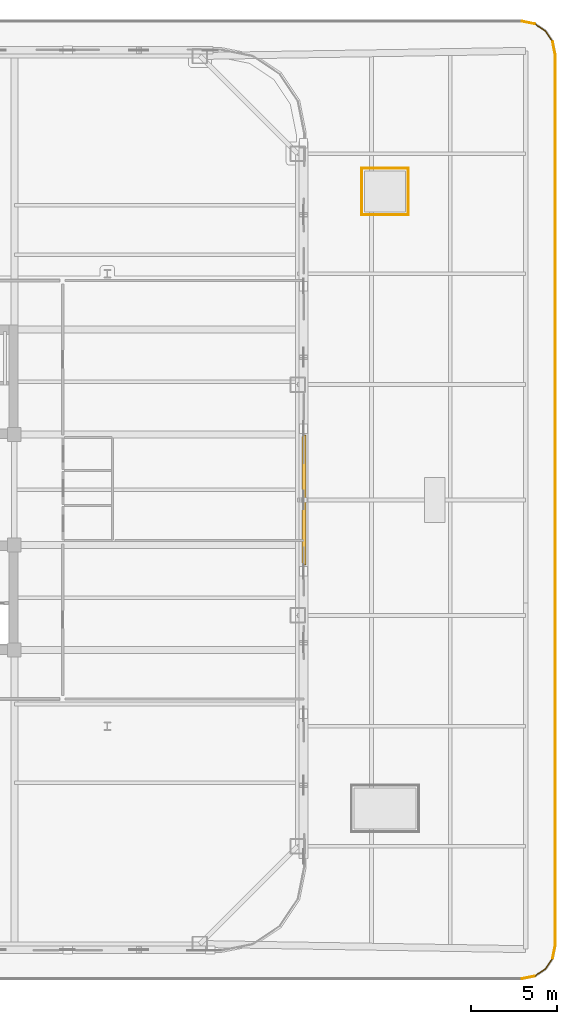
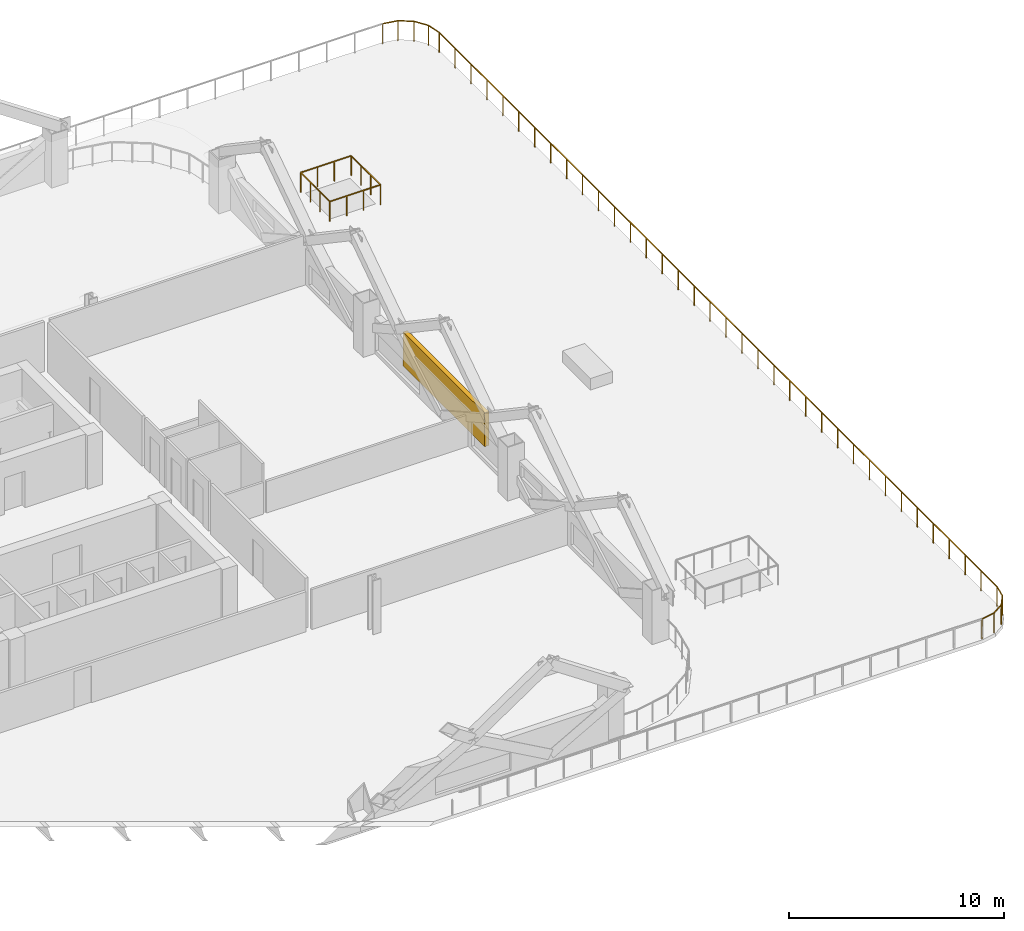
# One storey, part 17 of 17: 13 railings, 1 shading device.
"""IFC4 building model written with IfcOpenShell, lengths in metres."""

from ifc_helpers import new_model, si_unit, direction, frame, origin, origin_2d, place, context, subcontext, project, spatial, rectangle, extrude, material, type_object, element, save


model = new_model("IFC4")

# Units and contexts
model_context = context("Model", 3, precision=1e-05, world=origin(), true_north=direction((0.0, 1.0)))
body_context = subcontext(model_context, "Body", "Model", "MODEL_VIEW")
ifc_project = project(units=[si_unit("LENGTHUNIT", "METRE"), si_unit("AREAUNIT", "SQUARE_METRE"), si_unit("VOLUMEUNIT", "CUBIC_METRE"), si_unit("PLANEANGLEUNIT", "RADIAN"), si_unit("MASSUNIT", "GRAM", prefix="KILO")], contexts=[model_context])

# Site, building, storey
site_placement = place(None, origin())
site = spatial("IfcSite", under=ifc_project, at=site_placement, CompositionType="ELEMENT")
building_placement = place(site_placement, origin())
building = spatial("IfcBuilding", under=site, at=building_placement, Name="Qhalaya Broadcast Tower", CompositionType="ELEMENT")
storey_placement = place(building_placement, frame((0.0, 0.0, 26.10009765625)))
storey = spatial("IfcBuildingStorey", under=building, at=storey_placement, Name="L06", CompositionType="ELEMENT", Elevation=26.10009765625)

# Railings
ifc_material_1 = material(Name="Powder-Coated Galvanised Steel", Category="steel")
railing_type = type_object("IfcRailingType", Name="Terrace, Sky-Pool & Lookout Glass Balustrade 1150", PredefinedType="BALUSTRADE", material=ifc_material_1)
railing_1_placement = place(storey_placement, frame((38.9921875, 27.919921875, 0.0)))
element("IfcRailing", 1, at=railing_1_placement, inside=storey, type_object=railing_type, Name="L06 Perimeter Safety Balustrade BAL-TER1-12", PredefinedType="BALUSTRADE", context=body_context, shape_type="SweptSolid", body=[
    extrude(rectangle(XDim=0.048095703125, YDim=0.048095703125, at=origin_2d()), frame((0.0, 0.0, 1.1259765625), z_axis=(0.980815817217, -0.194936740243, 0.0), x_axis=(0.194936740243, 0.980815817217, 0.0)), (0.0, 0.0, 1.0), 0.75634765625),
    extrude(rectangle(XDim=0.0419921875, YDim=0.0419921875, at=origin_2d()), origin(), (0.0, 0.0, 1.0), 1.099853515625),
    extrude(rectangle(XDim=0.0419921875, YDim=0.0419921875, at=origin_2d()), frame((0.741943359375, -0.1474609375, 0.0)), (0.0, 0.0, 1.0), 1.099853515625),
])
railing_2_placement = place(storey_placement, frame((39.734130859375, 27.7724609375, 0.0)))
element("IfcRailing", 2, at=railing_2_placement, inside=storey, type_object=railing_type, Name="L06 Perimeter Safety Balustrade BAL-TER1-13", PredefinedType="BALUSTRADE", context=body_context, shape_type="SweptSolid", body=[
    extrude(rectangle(XDim=0.048095703125, YDim=0.048095703125, at=origin_2d()), frame((0.0, 0.0, 1.1259765625), z_axis=(0.831347157979, -0.555753455158, 0.0), x_axis=(0.555753455158, 0.831347157979, 0.0)), (0.0, 0.0, 1.0), 0.74853515625),
    extrude(rectangle(XDim=0.0419921875, YDim=0.0419921875, at=origin_2d()), origin(), (0.0, 0.0, 1.0), 1.099853515625),
    extrude(rectangle(XDim=0.0419921875, YDim=0.0419921875, at=origin_2d()), frame((0.622314453125, -0.416015625, 0.0)), (0.0, 0.0, 1.0), 1.099853515625),
])
railing_3_placement = place(storey_placement, frame((40.3564453125, 27.3564453125, 0.0)))
element("IfcRailing", 3, at=railing_3_placement, inside=storey, type_object=railing_type, Name="L06 Perimeter Safety Balustrade BAL-TER1-14", PredefinedType="BALUSTRADE", context=body_context, shape_type="SweptSolid", body=[
    extrude(rectangle(XDim=0.048095703125, YDim=0.048095703125, at=origin_2d()), frame((0.0, 0.0, 1.1259765625), z_axis=(0.555753455158, -0.831347157979, 0.0), x_axis=(0.831347157979, 0.555753455158, 0.0)), (0.0, 0.0, 1.0), 0.74853515625),
    extrude(rectangle(XDim=0.0419921875, YDim=0.0419921875, at=origin_2d()), origin(), (0.0, 0.0, 1.0), 1.099853515625),
    extrude(rectangle(XDim=0.0419921875, YDim=0.0419921875, at=origin_2d()), frame((0.416015625, -0.622314453125, 0.0)), (0.0, 0.0, 1.0), 1.099853515625),
])
railing_4_placement = place(storey_placement, frame((40.7724609375, 26.734130859375, 0.0)))
element("IfcRailing", 4, at=railing_4_placement, inside=storey, type_object=railing_type, Name="L06 Perimeter Safety Balustrade BAL-TER1-15", PredefinedType="BALUSTRADE", context=body_context, shape_type="SweptSolid", body=[
    extrude(rectangle(XDim=0.048095703125, YDim=0.048095703125, at=origin_2d()), frame((0.0, 0.0, 1.1259765625), z_axis=(0.194936740243, -0.980815817217, 0.0), x_axis=(0.980815817217, 0.194936740243, 0.0)), (0.0, 0.0, 1.0), 0.75634765625),
    extrude(rectangle(XDim=0.0419921875, YDim=0.0419921875, at=origin_2d()), origin(), (0.0, 0.0, 1.0), 1.099853515625),
    extrude(rectangle(XDim=0.0419921875, YDim=0.0419921875, at=origin_2d()), frame((0.1474609375, -0.741943359375, 0.0)), (0.0, 0.0, 1.0), 1.099853515625),
])
railing_5_placement = place(storey_placement, frame((40.919921875, 25.9921875, 0.0)))
element("IfcRailing", 5, at=railing_5_placement, inside=storey, type_object=railing_type, Name="L06 Perimeter Safety Balustrade BAL-TER1-16", PredefinedType="BALUSTRADE", context=body_context, shape_type="SweptSolid", body=[
    extrude(rectangle(XDim=0.048095703125, YDim=0.048095703125, at=origin_2d()), frame((0.0, 0.0, 1.1259765625), z_axis=(0.0, -1.0, 0.0), x_axis=(1.0, 0.0, 0.0)), (0.0, 0.0, 1.0), 51.984375),
    extrude(rectangle(XDim=0.0419921875, YDim=0.0419921875, at=origin_2d()), origin(), (0.0, 0.0, 1.0), 1.099853515625),
    extrude(rectangle(XDim=0.0419921875, YDim=0.0419921875, at=origin_2d()), frame((0.0, -1.4853515625, 0.0)), (0.0, 0.0, 1.0), 1.099853515625),
    extrude(rectangle(XDim=0.0419921875, YDim=0.0419921875, at=origin_2d()), frame((0.0, -2.970458984375, 0.0)), (0.0, 0.0, 1.0), 1.099853515625),
    extrude(rectangle(XDim=0.0419921875, YDim=0.0419921875, at=origin_2d()), frame((0.0, -4.455810546875, 0.0)), (0.0, 0.0, 1.0), 1.099853515625),
    extrude(rectangle(XDim=0.0419921875, YDim=0.0419921875, at=origin_2d()), frame((0.0, -5.941162109375, 0.0)), (0.0, 0.0, 1.0), 1.099853515625),
    extrude(rectangle(XDim=0.0419921875, YDim=0.0419921875, at=origin_2d()), frame((0.0, -7.42626953125, 0.0)), (0.0, 0.0, 1.0), 1.099853515625),
    extrude(rectangle(XDim=0.0419921875, YDim=0.0419921875, at=origin_2d()), frame((0.0, -8.91162109375, 0.0)), (0.0, 0.0, 1.0), 1.099853515625),
    extrude(rectangle(XDim=0.0419921875, YDim=0.0419921875, at=origin_2d()), frame((0.0, -10.39697265625, 0.0)), (0.0, 0.0, 1.0), 1.099853515625),
    extrude(rectangle(XDim=0.0419921875, YDim=0.0419921875, at=origin_2d()), frame((0.0, -11.882080078125, 0.0)), (0.0, 0.0, 1.0), 1.099853515625),
    extrude(rectangle(XDim=0.0419921875, YDim=0.0419921875, at=origin_2d()), frame((0.0, -13.367431640625, 0.0)), (0.0, 0.0, 1.0), 1.099853515625),
    extrude(rectangle(XDim=0.0419921875, YDim=0.0419921875, at=origin_2d()), frame((0.0, -14.852783203125, 0.0)), (0.0, 0.0, 1.0), 1.099853515625),
    extrude(rectangle(XDim=0.0419921875, YDim=0.0419921875, at=origin_2d()), frame((0.0, -16.337890625, 0.0)), (0.0, 0.0, 1.0), 1.099853515625),
    extrude(rectangle(XDim=0.0419921875, YDim=0.0419921875, at=origin_2d()), frame((0.0, -17.8232421875, 0.0)), (0.0, 0.0, 1.0), 1.099853515625),
    extrude(rectangle(XDim=0.0419921875, YDim=0.0419921875, at=origin_2d()), frame((0.0, -19.30859375, 0.0)), (0.0, 0.0, 1.0), 1.099853515625),
    extrude(rectangle(XDim=0.0419921875, YDim=0.0419921875, at=origin_2d()), frame((0.0, -20.793701171875, 0.0)), (0.0, 0.0, 1.0), 1.099853515625),
    extrude(rectangle(XDim=0.0419921875, YDim=0.0419921875, at=origin_2d()), frame((0.0, -22.279052734375, 0.0)), (0.0, 0.0, 1.0), 1.099853515625),
    extrude(rectangle(XDim=0.0419921875, YDim=0.0419921875, at=origin_2d()), frame((0.0, -23.764404296875, 0.0)), (0.0, 0.0, 1.0), 1.099853515625),
    extrude(rectangle(XDim=0.0419921875, YDim=0.0419921875, at=origin_2d()), frame((0.0, -25.24951171875, 0.0)), (0.0, 0.0, 1.0), 1.099853515625),
    extrude(rectangle(XDim=0.0419921875, YDim=0.0419921875, at=origin_2d()), frame((0.0, -26.73486328125, 0.0)), (0.0, 0.0, 1.0), 1.099853515625),
    extrude(rectangle(XDim=0.0419921875, YDim=0.0419921875, at=origin_2d()), frame((0.0, -28.219970703125, 0.0)), (0.0, 0.0, 1.0), 1.099853515625),
    extrude(rectangle(XDim=0.0419921875, YDim=0.0419921875, at=origin_2d()), frame((0.0, -29.705322265625, 0.0)), (0.0, 0.0, 1.0), 1.099853515625),
    extrude(rectangle(XDim=0.0419921875, YDim=0.0419921875, at=origin_2d()), frame((0.0, -31.190673828125, 0.0)), (0.0, 0.0, 1.0), 1.099853515625),
    extrude(rectangle(XDim=0.0419921875, YDim=0.0419921875, at=origin_2d()), frame((0.0, -32.67578125, 0.0)), (0.0, 0.0, 1.0), 1.099853515625),
    extrude(rectangle(XDim=0.0419921875, YDim=0.0419921875, at=origin_2d()), frame((0.0, -34.1611328125, 0.0)), (0.0, 0.0, 1.0), 1.099853515625),
    extrude(rectangle(XDim=0.0419921875, YDim=0.0419921875, at=origin_2d()), frame((0.0, -35.646484375, 0.0)), (0.0, 0.0, 1.0), 1.099853515625),
    extrude(rectangle(XDim=0.0419921875, YDim=0.0419921875, at=origin_2d()), frame((0.0, -37.131591796875, 0.0)), (0.0, 0.0, 1.0), 1.099853515625),
    extrude(rectangle(XDim=0.0419921875, YDim=0.0419921875, at=origin_2d()), frame((0.0, -38.616943359375, 0.0)), (0.0, 0.0, 1.0), 1.099853515625),
    extrude(rectangle(XDim=0.0419921875, YDim=0.0419921875, at=origin_2d()), frame((0.0, -40.102294921875, 0.0)), (0.0, 0.0, 1.0), 1.099853515625),
    extrude(rectangle(XDim=0.0419921875, YDim=0.0419921875, at=origin_2d()), frame((0.0, -41.58740234375, 0.0)), (0.0, 0.0, 1.0), 1.099853515625),
    extrude(rectangle(XDim=0.0419921875, YDim=0.0419921875, at=origin_2d()), frame((0.0, -43.07275390625, 0.0)), (0.0, 0.0, 1.0), 1.099853515625),
    extrude(rectangle(XDim=0.0419921875, YDim=0.0419921875, at=origin_2d()), frame((0.0, -44.55810546875, 0.0)), (0.0, 0.0, 1.0), 1.099853515625),
    extrude(rectangle(XDim=0.0419921875, YDim=0.0419921875, at=origin_2d()), frame((0.0, -46.043212890625, 0.0)), (0.0, 0.0, 1.0), 1.099853515625),
    extrude(rectangle(XDim=0.0419921875, YDim=0.0419921875, at=origin_2d()), frame((0.0, -47.528564453125, 0.0)), (0.0, 0.0, 1.0), 1.099853515625),
    extrude(rectangle(XDim=0.0419921875, YDim=0.0419921875, at=origin_2d()), frame((0.0, -49.013916015625, 0.0)), (0.0, 0.0, 1.0), 1.099853515625),
    extrude(rectangle(XDim=0.0419921875, YDim=0.0419921875, at=origin_2d()), frame((0.0, -50.4990234375, 0.0)), (0.0, 0.0, 1.0), 1.099853515625),
    extrude(rectangle(XDim=0.0419921875, YDim=0.0419921875, at=origin_2d()), frame((0.0, -51.984375, 0.0)), (0.0, 0.0, 1.0), 1.099853515625),
])
railing_6_placement = place(storey_placement, frame((40.919921875, -25.9921875, 0.0)))
element("IfcRailing", 6, at=railing_6_placement, inside=storey, type_object=railing_type, Name="L06 Perimeter Safety Balustrade BAL-TER1-17", PredefinedType="BALUSTRADE", context=body_context, shape_type="SweptSolid", body=[
    extrude(rectangle(XDim=0.048095703125, YDim=0.048095703125, at=origin_2d()), frame((0.0, 0.0, 1.1259765625), z_axis=(-0.194936740243, -0.980815817217, 0.0), x_axis=(0.980815817217, -0.194936740243, 0.0)), (0.0, 0.0, 1.0), 0.75634765625),
    extrude(rectangle(XDim=0.0419921875, YDim=0.0419921875, at=origin_2d()), origin(), (0.0, 0.0, 1.0), 1.099853515625),
    extrude(rectangle(XDim=0.0419921875, YDim=0.0419921875, at=origin_2d()), frame((-0.1474609375, -0.741943359375, 0.0)), (0.0, 0.0, 1.0), 1.099853515625),
])
railing_7_placement = place(storey_placement, frame((40.7724609375, -26.734130859375, 0.0)))
element("IfcRailing", 7, at=railing_7_placement, inside=storey, type_object=railing_type, Name="L06 Perimeter Safety Balustrade BAL-TER1-18", PredefinedType="BALUSTRADE", context=body_context, shape_type="SweptSolid", body=[
    extrude(rectangle(XDim=0.048095703125, YDim=0.048095703125, at=origin_2d()), frame((0.0, 0.0, 1.1259765625), z_axis=(-0.555753455158, -0.831347157979, 0.0), x_axis=(0.831347157979, -0.555753455158, 0.0)), (0.0, 0.0, 1.0), 0.74853515625),
    extrude(rectangle(XDim=0.0419921875, YDim=0.0419921875, at=origin_2d()), origin(), (0.0, 0.0, 1.0), 1.099853515625),
    extrude(rectangle(XDim=0.0419921875, YDim=0.0419921875, at=origin_2d()), frame((-0.416015625, -0.622314453125, 0.0)), (0.0, 0.0, 1.0), 1.099853515625),
])
railing_8_placement = place(storey_placement, frame((40.3564453125, -27.3564453125, 0.0)))
element("IfcRailing", 8, at=railing_8_placement, inside=storey, type_object=railing_type, Name="L06 Perimeter Safety Balustrade BAL-TER1-19", PredefinedType="BALUSTRADE", context=body_context, shape_type="SweptSolid", body=[
    extrude(rectangle(XDim=0.048095703125, YDim=0.048095703125, at=origin_2d()), frame((0.0, 0.0, 1.1259765625), z_axis=(-0.831347157979, -0.555753455158, 0.0), x_axis=(0.555753455158, -0.831347157979, 0.0)), (0.0, 0.0, 1.0), 0.74853515625),
    extrude(rectangle(XDim=0.0419921875, YDim=0.0419921875, at=origin_2d()), origin(), (0.0, 0.0, 1.0), 1.099853515625),
    extrude(rectangle(XDim=0.0419921875, YDim=0.0419921875, at=origin_2d()), frame((-0.622314453125, -0.416015625, 0.0)), (0.0, 0.0, 1.0), 1.099853515625),
])
railing_9_placement = place(storey_placement, frame((39.734130859375, -27.7724609375, 0.0)))
element("IfcRailing", 9, at=railing_9_placement, inside=storey, type_object=railing_type, Name="L06 Perimeter Safety Balustrade BAL-TER1-20", PredefinedType="BALUSTRADE", context=body_context, shape_type="SweptSolid", body=[
    extrude(rectangle(XDim=0.048095703125, YDim=0.048095703125, at=origin_2d()), frame((0.0, 0.0, 1.1259765625), z_axis=(-0.980815817217, -0.194936740243, 0.0), x_axis=(0.194936740243, -0.980815817217, 0.0)), (0.0, 0.0, 1.0), 0.75634765625),
    extrude(rectangle(XDim=0.0419921875, YDim=0.0419921875, at=origin_2d()), origin(), (0.0, 0.0, 1.0), 1.099853515625),
    extrude(rectangle(XDim=0.0419921875, YDim=0.0419921875, at=origin_2d()), frame((-0.741943359375, -0.1474609375, 0.0)), (0.0, 0.0, 1.0), 1.099853515625),
])
railing_10_placement = place(storey_placement, frame((29.639892578125, 16.639892578125, 0.0)))
element("IfcRailing", 10, at=railing_10_placement, inside=storey, type_object=railing_type, Name="L06 Skylight Safety Guard SK2-4-1", PredefinedType="BALUSTRADE", context=body_context, shape_type="SweptSolid", body=[
    extrude(rectangle(XDim=0.048095703125, YDim=0.048095703125, at=origin_2d()), frame((0.0, 0.0, 1.1259765625), z_axis=(1.0, 0.0, 0.0), x_axis=(0.0, 1.0, 0.0)), (0.0, 0.0, 1.0), 2.72021484375),
    extrude(rectangle(XDim=0.0419921875, YDim=0.0419921875, at=origin_2d()), origin(), (0.0, 0.0, 1.0), 1.099853515625),
    extrude(rectangle(XDim=0.0419921875, YDim=0.0419921875, at=origin_2d()), frame((0.90673828125, 0.0, 0.0)), (0.0, 0.0, 1.0), 1.099853515625),
    extrude(rectangle(XDim=0.0419921875, YDim=0.0419921875, at=origin_2d()), frame((1.8134765625, 0.0, 0.0)), (0.0, 0.0, 1.0), 1.099853515625),
    extrude(rectangle(XDim=0.0419921875, YDim=0.0419921875, at=origin_2d()), frame((2.72021484375, 0.0, 0.0)), (0.0, 0.0, 1.0), 1.099853515625),
])
railing_11_placement = place(storey_placement, frame((32.360107421875, 16.639892578125, 0.0)))
element("IfcRailing", 11, at=railing_11_placement, inside=storey, type_object=railing_type, Name="L06 Skylight Safety Guard SK2-4-2", PredefinedType="BALUSTRADE", context=body_context, shape_type="SweptSolid", body=[
    extrude(rectangle(XDim=0.048095703125, YDim=0.048095703125, at=origin_2d()), frame((0.0, 0.0, 1.1259765625), z_axis=(0.0, 1.0, 0.0), x_axis=(-1.0, 0.0, 0.0)), (0.0, 0.0, 1.0), 2.72021484375),
    extrude(rectangle(XDim=0.0419921875, YDim=0.0419921875, at=origin_2d()), origin(), (0.0, 0.0, 1.0), 1.099853515625),
    extrude(rectangle(XDim=0.0419921875, YDim=0.0419921875, at=origin_2d()), frame((0.0, 0.90673828125, 0.0)), (0.0, 0.0, 1.0), 1.099853515625),
    extrude(rectangle(XDim=0.0419921875, YDim=0.0419921875, at=origin_2d()), frame((0.0, 1.8134765625, 0.0)), (0.0, 0.0, 1.0), 1.099853515625),
    extrude(rectangle(XDim=0.0419921875, YDim=0.0419921875, at=origin_2d()), frame((0.0, 2.72021484375, 0.0)), (0.0, 0.0, 1.0), 1.099853515625),
])
railing_12_placement = place(storey_placement, frame((32.360107421875, 19.360107421875, 0.0)))
element("IfcRailing", 12, at=railing_12_placement, inside=storey, type_object=railing_type, Name="L06 Skylight Safety Guard SK2-4-3", PredefinedType="BALUSTRADE", context=body_context, shape_type="SweptSolid", body=[
    extrude(rectangle(XDim=0.048095703125, YDim=0.048095703125, at=origin_2d()), frame((0.0, 0.0, 1.1259765625), z_axis=(-1.0, 0.0, 0.0), x_axis=(0.0, -1.0, 0.0)), (0.0, 0.0, 1.0), 2.72021484375),
    extrude(rectangle(XDim=0.0419921875, YDim=0.0419921875, at=origin_2d()), origin(), (0.0, 0.0, 1.0), 1.099853515625),
    extrude(rectangle(XDim=0.0419921875, YDim=0.0419921875, at=origin_2d()), frame((-0.90673828125, 0.0, 0.0)), (0.0, 0.0, 1.0), 1.099853515625),
    extrude(rectangle(XDim=0.0419921875, YDim=0.0419921875, at=origin_2d()), frame((-1.8134765625, 0.0, 0.0)), (0.0, 0.0, 1.0), 1.099853515625),
    extrude(rectangle(XDim=0.0419921875, YDim=0.0419921875, at=origin_2d()), frame((-2.72021484375, 0.0, 0.0)), (0.0, 0.0, 1.0), 1.099853515625),
])
railing_13_placement = place(storey_placement, frame((29.639892578125, 19.360107421875, 0.0)))
element("IfcRailing", 13, at=railing_13_placement, inside=storey, type_object=railing_type, Name="L06 Skylight Safety Guard SK2-4-4", PredefinedType="BALUSTRADE", context=body_context, shape_type="SweptSolid", body=[
    extrude(rectangle(XDim=0.048095703125, YDim=0.048095703125, at=origin_2d()), frame((0.0, 0.0, 1.1259765625), z_axis=(0.0, -1.0, 0.0), x_axis=(1.0, 0.0, 0.0)), (0.0, 0.0, 1.0), 2.72021484375),
    extrude(rectangle(XDim=0.0419921875, YDim=0.0419921875, at=origin_2d()), origin(), (0.0, 0.0, 1.0), 1.099853515625),
    extrude(rectangle(XDim=0.0419921875, YDim=0.0419921875, at=origin_2d()), frame((0.0, -0.90673828125, 0.0)), (0.0, 0.0, 1.0), 1.099853515625),
    extrude(rectangle(XDim=0.0419921875, YDim=0.0419921875, at=origin_2d()), frame((0.0, -1.8134765625, 0.0)), (0.0, 0.0, 1.0), 1.099853515625),
    extrude(rectangle(XDim=0.0419921875, YDim=0.0419921875, at=origin_2d()), frame((0.0, -2.72021484375, 0.0)), (0.0, 0.0, 1.0), 1.099853515625),
])

# Shading device
ifc_material_2 = material(Name="Fired Architectural Terracotta", Category="masonry")
shading_device_type = type_object("IfcShadingDeviceType", Name="Terracotta Baguette Solar Screen Assembly TBS-01", PredefinedType="USERDEFINED", material=ifc_material_2)
shading_device_placement = place(storey_placement, frame((26.280029296875, 0.0, 0.79248046875), z_axis=(0.0, 0.0, 1.0), x_axis=(0.0, 1.0, 0.0)))
element("IfcShadingDevice", 14, at=shading_device_placement, inside=storey, type_object=shading_device_type, Name="L06 Fired Terracotta Baguette Screen E", ObjectType="BAGUETTE", PredefinedType="USERDEFINED", context=body_context, shape_type="SweptSolid", body=[
    extrude(rectangle(XDim=7.60009765625, YDim=0.239990234375, at=origin_2d()), origin(), (0.0, 0.0, 1.0), 1.924072265625),
])

save(model, "model.ifc")
